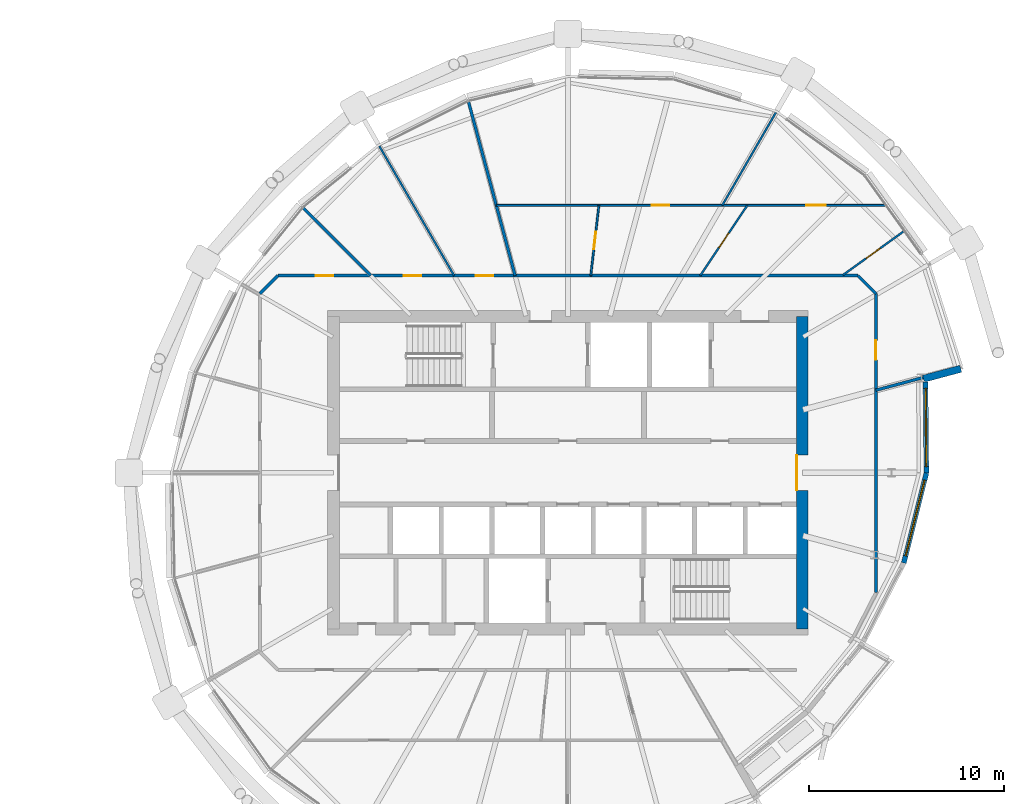
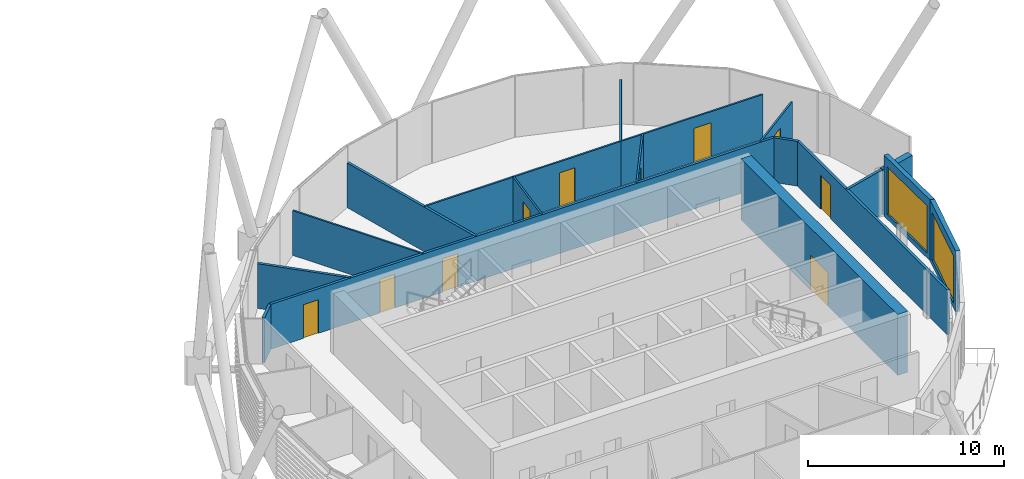
# One storey, part 27 of 36: 18 walls, 10 doors, 2 windows, 12 openings.
"""IFC4 building model written with IfcOpenShell, lengths in metres."""

import ifcopenshell
import ifcopenshell.guid

model = None  # the IFC model being written
_history = None  # IfcOwnerHistory: only IFC2X3 demands one
_inside = {}  # id of a spatial element -> (the spatial element, [elements in it])
_under = {}  # id of a project, library or spatial element -> (it, [spatial elements below it])
_declared = {}  # id of a project -> (the project, [libraries it declares])
_typed = {}  # id of a type object -> (the type object, [elements of that type])
_made_of = {}  # id of a material, layer set ... -> (it, [elements and type objects made of it])


def new_model(schema):
    """Start an empty IFC model of exactly this schema.

    Asked for "IFC4X3", IfcOpenShell would pick the latest addendum, in which some entities
    have other attributes; the version numbers below select the first issue.
    IFC2X3 requires an IfcOwnerHistory on every rooted entity: one is made here for all.
    """
    global model, _history
    if schema == "IFC4X3":
        model = ifcopenshell.file(schema_version=(4, 3, 0, 0))
    else:
        model = ifcopenshell.file(schema=schema)
    _inside.clear()
    _under.clear()
    _declared.clear()
    _typed.clear()
    _made_of.clear()
    _history = None
    if model.schema == "IFC2X3":
        org = make("IfcOrganization", Name="unknown")
        user = make(
            "IfcPersonAndOrganization",
            ThePerson=make("IfcPerson", FamilyName="unknown"),
            TheOrganization=org,
        )
        app = make(
            "IfcApplication",
            ApplicationDeveloper=org,
            Version="unknown",
            ApplicationFullName="unknown",
            ApplicationIdentifier="unknown",
        )
        _history = make(
            "IfcOwnerHistory",
            OwningUser=user,
            OwningApplication=app,
            ChangeAction="ADDED",
            CreationDate=0,
        )
    return model


def make(cls, **values):
    """One entity of the class cls with the attributes given. An attribute that is None is left unset."""
    return model.create_entity(
        cls, **{name: value for name, value in values.items() if value is not None}
    )


def rooted(cls, **values):
    """An entity with a GlobalId (a new one), such as an element, a storey or a relation."""
    return make(cls, GlobalId=ifcopenshell.guid.new(), OwnerHistory=_history, **values)


def si_unit(unit_type, name, prefix=None):
    """IfcSIUnit, for example si_unit("LENGTHUNIT", "METRE", prefix="MILLI")."""
    return make("IfcSIUnit", UnitType=unit_type, Prefix=prefix, Name=name)


def assignment(units):
    """IfcUnitAssignment: the units of a project."""
    return None if units is None else make("IfcUnitAssignment", Units=units)


def point(xyz):
    """IfcCartesianPoint."""
    return None if xyz is None else make("IfcCartesianPoint", Coordinates=xyz)


def direction(xyz):
    """IfcDirection."""
    return None if xyz is None else make("IfcDirection", DirectionRatios=xyz)


def frame(location, z_axis=None, x_axis=None):
    """IfcAxis2Placement3D, a coordinate frame: its origin and axes. An axis left out is left unset."""
    return make(
        "IfcAxis2Placement3D",
        Location=point(location),
        Axis=direction(z_axis),
        RefDirection=direction(x_axis),
    )


def frame_2d(location, x_axis=None):
    """IfcAxis2Placement2D, a coordinate frame in the plane: its origin and x axis."""
    return make(
        "IfcAxis2Placement2D", Location=point(location), RefDirection=direction(x_axis)
    )


def origin():
    """The frame at (0, 0, 0) with its axes left unset."""
    return frame((0.0, 0.0, 0.0))


def place(relative_to, where):
    """IfcLocalPlacement: puts the frame where relative to a parent placement (None: the world)."""
    return make(
        "IfcLocalPlacement", PlacementRelTo=relative_to, RelativePlacement=where
    )


def context(
    kind, dimensions, precision=None, world=None, true_north=None, identifier=None
):
    """IfcGeometricRepresentationContext, for example the 3D "Model" context."""
    return make(
        "IfcGeometricRepresentationContext",
        ContextIdentifier=identifier,
        ContextType=kind,
        CoordinateSpaceDimension=dimensions,
        Precision=precision,
        WorldCoordinateSystem=world,
        TrueNorth=true_north,
    )


def subcontext(parent, identifier, kind, view, scale=None):
    """IfcGeometricRepresentationSubContext, for example "Body" below "Model"."""
    return make(
        "IfcGeometricRepresentationSubContext",
        ContextIdentifier=identifier,
        ContextType=kind,
        ParentContext=parent,
        TargetScale=scale,
        TargetView=view,
    )


def project(units=None, contexts=None):
    """IfcProject with its units and contexts."""
    return rooted(
        "IfcProject",
        Name="project",
        RepresentationContexts=contexts,
        UnitsInContext=assignment(units),
    )


def spatial(cls, under=None, at=None, **own):
    """A site, building, storey or space (cls), placed at a placement, below another one or the project."""
    s = rooted(cls, ObjectPlacement=at, **own)
    if under is not None:
        _under.setdefault(under.id(), (under, []))[1].append(s)
    return s


def profile(cls, at=None, kind="AREA", **sizes):
    """A parametric profile (cls). Its sizes go by their IFC names, for example OverallWidth=200.0."""
    return make(cls, ProfileType=kind, Position=at, **sizes)


def rectangle(**sizes):
    """IfcRectangleProfileDef."""
    return profile("IfcRectangleProfileDef", **sizes)


def extrude(swept, where, along, depth):
    """IfcExtrudedAreaSolid: the profile swept, set in the frame where, extruded along a direction by depth."""
    return make(
        "IfcExtrudedAreaSolid",
        SweptArea=swept,
        Position=where,
        ExtrudedDirection=direction(along),
        Depth=depth,
    )


def shape(context_of_items, identifier, shape_type, items):
    """IfcShapeRepresentation: the items that make up one representation, for example the "Body"."""
    return make(
        "IfcShapeRepresentation",
        ContextOfItems=context_of_items,
        RepresentationIdentifier=identifier,
        RepresentationType=shape_type,
        Items=items,
    )


def material(Name=None, Category=None):
    """IfcMaterial."""
    return make("IfcMaterial", Name=Name, Category=Category)


def layer(
    of_material, thickness, ventilated=None, Name=None, Category=None, Priority=None
):
    """IfcMaterialLayer: one layer of a wall or slab, of a material (None: an air gap)."""
    return make(
        "IfcMaterialLayer",
        Material=of_material,
        LayerThickness=thickness,
        IsVentilated=ventilated,
        Name=Name,
        Category=Category,
        Priority=Priority,
    )


def layer_set(layers, Name=None):
    """IfcMaterialLayerSet."""
    return make("IfcMaterialLayerSet", MaterialLayers=layers, LayerSetName=Name)


def made_of(thing, what):
    """Note that an element or type object is made of a material, layer set ...; save() writes the relation."""
    if what is not None:
        _made_of.setdefault(what.id(), (what, []))[1].append(thing)
    return thing


def type_object(cls, material=None, **own):
    """A type object (cls), such as IfcWallType, which elements share."""
    return made_of(rooted(cls, **own), material)


def element(
    cls,
    number,
    at=None,
    inside=None,
    cuts=None,
    type_object=None,
    material=None,
    context=None,
    identifier="Body",
    shape_type=None,
    held_by="IfcProductDefinitionShape",
    body=None,
    shapes=None,
    **own,
):
    """One element of the class cls, such as IfcWall. Its Tag is "e" and its number.

    at: its placement. inside: the storey or other place that contains it. cuts: it is an
    opening in that element (IfcRelVoidsElement). A single representation is given by context,
    identifier, shape_type and body (its items); several are given by shapes. held_by: the class
    of the entity that holds the representations. save() writes the other relations.
    """
    e = rooted(cls, Tag="e%d" % number, ObjectPlacement=at, **own)
    if body is not None:
        shapes = [shape(context, identifier, shape_type, body)]
    if shapes is not None:
        e.Representation = make(held_by, Representations=shapes)
    if inside is not None:
        _inside.setdefault(inside.id(), (inside, []))[1].append(e)
    if cuts is not None:
        rooted(
            "IfcRelVoidsElement", RelatingBuildingElement=cuts, RelatedOpeningElement=e
        )
    if type_object is not None:
        _typed.setdefault(type_object.id(), (type_object, []))[1].append(e)
    return made_of(e, material)


def fill(opening, filler):
    """IfcRelFillsElement: the door or window that sits in an opening."""
    return rooted(
        "IfcRelFillsElement",
        RelatingOpeningElement=opening,
        RelatedBuildingElement=filler,
    )


def aggregate(whole, parts):
    """IfcRelAggregates: a whole, such as a stair, and the parts it consists of."""
    return rooted("IfcRelAggregates", RelatingObject=whole, RelatedObjects=parts)


def save(model, path):
    """Write the relations noted so far, then the file.

    IfcRelAggregates (storeys below a building ...), IfcRelContainedInSpatialStructure (elements
    in a storey), IfcRelDefinesByType, IfcRelAssociatesMaterial and IfcRelDeclares: one each for
    every whole, place, type object, material and project.
    """
    for whole, parts in _under.values():
        aggregate(whole, parts)
    for where, things in _inside.values():
        rooted(
            "IfcRelContainedInSpatialStructure",
            RelatedElements=things,
            RelatingStructure=where,
        )
    for kind, things in _typed.values():
        rooted("IfcRelDefinesByType", RelatedObjects=things, RelatingType=kind)
    for what, things in _made_of.values():
        rooted("IfcRelAssociatesMaterial", RelatedObjects=things, RelatingMaterial=what)
    for by, libraries in _declared.values():
        rooted("IfcRelDeclares", RelatingContext=by, RelatedDefinitions=libraries)
    model.write(path)


model = new_model("IFC4")

# Units and contexts
model_context = context("Model", 3, precision=1e-05, world=origin(), true_north=direction((0.0, 1.0)))
body_context = subcontext(model_context, "Body", "Model", "MODEL_VIEW")
ifc_project = project(units=[si_unit("LENGTHUNIT", "METRE"), si_unit("AREAUNIT", "SQUARE_METRE"), si_unit("VOLUMEUNIT", "CUBIC_METRE"), si_unit("PLANEANGLEUNIT", "RADIAN"), si_unit("MASSUNIT", "GRAM", prefix="KILO")], contexts=[model_context])

# Site, building, storey
site_placement = place(None, origin())
site = spatial("IfcSite", under=ifc_project, at=site_placement, CompositionType="ELEMENT")
building_placement = place(site_placement, origin())
building = spatial("IfcBuilding", under=site, at=building_placement, Name="Rimbun Link Towers", CompositionType="ELEMENT")
storey_placement = place(building_placement, frame((0.0, 0.0, 193.10009765625)))
storey = spatial("IfcBuildingStorey", under=building, at=storey_placement, Name="L47", CompositionType="ELEMENT", Elevation=193.10009765625)

# Wall, opening, window
ifc_material_1 = material(Name="Dark enamelled glass spandrel on insulated aluminium backpan", Category="aluminium")
ifc_layer_1 = layer(ifc_material_1, 0.25)
ifc_layer_set_1 = layer_set([ifc_layer_1], Name="CS dark enamelled spandrel wall 250")
wall_type_1 = type_object("IfcWallType", Name="CS dark enamelled spandrel wall 250", PredefinedType="STANDARD", material=ifc_layer_set_1)
wall_1_placement = place(storey_placement, frame((50.1103515625, -0.014892578125, 0.0), z_axis=(0.0, 0.0, 1.0), x_axis=(-0.243756771227, -0.96983639676, 0.0)))
wall_1 = element("IfcWall", 1, at=wall_1_placement, inside=storey, type_object=wall_type_1, Name="Crease spandrel wall", PredefinedType="STANDARD", context=body_context, shape_type="SweptSolid", body=[
    extrude(rectangle(XDim=4.75048828125, YDim=0.25, at=frame_2d((2.375244140625, 0.0))), origin(), (0.0, 0.0, 1.0), 3.7998046875),
])
opening_1_placement = place(wall_1_placement, frame((0.375244140625, 0.0, 0.300048828125)))
opening_1 = element("IfcOpeningElement", 2, at=opening_1_placement, cuts=wall_1, Name="Opening WR40H295", PredefinedType="OPENING", context=body_context, shape_type="SweptSolid", body=[
    extrude(rectangle(XDim=4.0, YDim=2.949951171875, at=frame_2d((2.0, 1.47509765625))), frame((0.0, 0.135009765625, 0.0), z_axis=(0.0, -1.0, 0.0), x_axis=(1.0, 0.0, 0.0)), (0.0, 0.0, 1.0), 0.27001953125),
])
ifc_material_2 = material(Name="Aluminium framed fixed window, dark tinted low-e glass", Category="aluminium")
window_type = type_object("IfcWindowType", Name="WR ribbon window 4000X2950", PartitioningType="SINGLE_PANEL", PredefinedType="WINDOW", material=ifc_material_2)
window_1_placement = place(opening_1_placement, origin())
window_1 = element("IfcWindow", 3, at=window_1_placement, inside=storey, type_object=window_type, Name="Crease ribbon window", OverallHeight=2.949951171875, OverallWidth=4.0, PartitioningType="SINGLE_PANEL", PredefinedType="WINDOW", context=body_context, shape_type="SweptSolid", body=[
    extrude(rectangle(XDim=4.0, YDim=2.949951171875, at=frame_2d((2.0, 1.47509765625))), frame((0.0, 0.030029296875, 0.0), z_axis=(0.0, -1.0, 0.0), x_axis=(1.0, 0.0, 0.0)), (0.0, 0.0, 1.0), 0.06005859375),
])
fill(opening_1, window_1)

wall_2_placement = place(storey_placement, frame((50.066650390625, 4.649169921875, 0.0), z_axis=(0.0, 0.0, 1.0), x_axis=(0.009369354224, -0.999956106637, 0.0)))
wall_2 = element("IfcWall", 4, at=wall_2_placement, inside=storey, type_object=wall_type_1, Name="Crease spandrel wall", PredefinedType="STANDARD", context=body_context, shape_type="SweptSolid", body=[
    extrude(rectangle(XDim=4.664306640625, YDim=0.25, at=frame_2d((2.33203125, 0.0))), origin(), (0.0, 0.0, 1.0), 3.7998046875),
])
opening_2_placement = place(wall_2_placement, frame((0.33203125, 0.0, 0.300048828125)))
opening_2 = element("IfcOpeningElement", 5, at=opening_2_placement, cuts=wall_2, Name="Opening WR40H295", PredefinedType="OPENING", context=body_context, shape_type="SweptSolid", body=[
    extrude(rectangle(XDim=4.0, YDim=2.949951171875, at=frame_2d((2.0, 1.47509765625))), frame((0.0, 0.135009765625, 0.0), z_axis=(0.0, -1.0, 0.0), x_axis=(1.0, 0.0, 0.0)), (0.0, 0.0, 1.0), 0.27001953125),
])
window_2_placement = place(opening_2_placement, origin())
window_2 = element("IfcWindow", 6, at=window_2_placement, inside=storey, type_object=window_type, Name="Crease ribbon window", OverallHeight=2.949951171875, OverallWidth=4.0, PartitioningType="SINGLE_PANEL", PredefinedType="WINDOW", context=body_context, shape_type="SweptSolid", body=[
    extrude(rectangle(XDim=4.0, YDim=2.949951171875, at=frame_2d((2.0, 1.47509765625))), frame((0.0, 0.030029296875, 0.0), z_axis=(0.0, -1.0, 0.0), x_axis=(1.0, 0.0, 0.0)), (0.0, 0.0, 1.0), 0.06005859375),
])
fill(opening_2, window_2)

# Wall
ifc_material_3 = material(Name="Dark enamelled glass spandrel on insulated aluminium backpan", Category="aluminium")
ifc_layer_2 = layer(ifc_material_3, 0.3701171875)
ifc_layer_set_2 = layer_set([ifc_layer_2], Name="CS dark enamelled spandrel wall 370")
wall_type_2 = type_object("IfcWallType", Name="CS dark enamelled spandrel wall 370", PredefinedType="STANDARD", material=ifc_layer_set_2)
wall_3_placement = place(storey_placement, frame((51.868896484375, 5.323486328125, 0.0), z_axis=(0.0, 0.0, 1.0), x_axis=(-0.965921079275, -0.258836760551, 0.0)))
element("IfcWall", 7, at=wall_3_placement, inside=storey, type_object=wall_type_2, Name="Crease spandrel wall", PredefinedType="STANDARD", context=body_context, shape_type="SweptSolid", body=[
    extrude(rectangle(XDim=1.979736328125, YDim=0.3701171875, at=frame_2d((0.98974609375, 0.0))), origin(), (0.0, 0.0, 1.0), 2.799072265625),
])

# Wall, opening, door
ifc_material_4 = material(Name="Concrete C60/75", Category="concrete")
ifc_layer_3 = layer(ifc_material_4, 0.60009765625)
ifc_layer_set_3 = layer_set([ifc_layer_3], Name="Core shear wall 600")
wall_type_3 = type_object("IfcWallType", Name="Core shear wall 600", PredefinedType="SHEAR", material=ifc_layer_set_3)
wall_4_placement = place(storey_placement, frame((43.75, -8.0, 0.0), z_axis=(0.0, 0.0, 1.0), x_axis=(0.0, 1.0, 0.0)))
wall_4 = element("IfcWall", 8, at=wall_4_placement, inside=storey, type_object=wall_type_3, Name="L47 T2 core wall E", PredefinedType="SHEAR", context=body_context, shape_type="SweptSolid", body=[
    extrude(rectangle(XDim=16.0, YDim=0.60009765625, at=frame_2d((8.0, 0.0))), origin(), (0.0, 0.0, 1.0), 3.7998046875),
])
opening_3_placement = place(wall_4_placement, frame((7.10009765625, 0.0, 0.0)))
opening_3 = element("IfcOpeningElement", 9, at=opening_3_placement, cuts=wall_4, Name="Opening C2DCL01E", PredefinedType="OPENING", context=body_context, shape_type="SweptSolid", body=[
    extrude(rectangle(XDim=1.800048828125, YDim=2.10009765625, at=frame_2d((0.89990234375, 1.050048828125))), frame((0.0, 0.31005859375, 0.0), z_axis=(0.0, -1.0, 0.0), x_axis=(1.0, 0.0, 0.0)), (0.0, 0.0, 1.0), 0.6201171875),
])
ifc_material_5 = material(Name="Steel fire door set", Category="steel")
door_type_1 = type_object("IfcDoorType", Name="Core lobby door double", OperationType="DOUBLE_DOOR_SINGLE_SWING", PredefinedType="DOOR", material=ifc_material_5)
door_1_placement = place(opening_3_placement, origin())
door_1 = element("IfcDoor", 10, at=door_1_placement, inside=storey, type_object=door_type_1, Name="L47 T2 lift lobby door", OperationType="DOUBLE_DOOR_SINGLE_SWING", OverallHeight=2.10009765625, OverallWidth=1.800048828125, PredefinedType="DOOR", context=body_context, shape_type="SweptSolid", body=[
    extrude(rectangle(XDim=1.800048828125, YDim=2.10009765625, at=frame_2d((0.89990234375, 1.050048828125))), frame((0.0, 0.2998046875, 0.0), z_axis=(0.0, -1.0, 0.0), x_axis=(1.0, 0.0, 0.0)), (0.0, 0.0, 1.0), 0.050048828125),
])
fill(opening_3, door_1)

ifc_material_6 = material(Name="Plasterboard on steel stud, mineral wool", Category="steel")
ifc_layer_4 = layer(ifc_material_6, 0.14990234375)
ifc_layer_set_4 = layer_set([ifc_layer_4], Name="Corridor wall EI 30 150 mm")
wall_type_4 = type_object("IfcWallType", Name="Corridor wall EI 30 150 mm", PredefinedType="PARTITIONING", material=ifc_layer_set_4)
wall_5_placement = place(storey_placement, frame((47.52490234375, 9.173583984375, 0.0), z_axis=(0.0, 0.0, 1.0), x_axis=(0.0, -1.0, 0.0)))
wall_5 = element("IfcWall", 11, at=wall_5_placement, inside=storey, type_object=wall_type_4, Name="Corridor wall EI 30 150 mm", PredefinedType="PARTITIONING", context=body_context, shape_type="SweptSolid", body=[
    extrude(rectangle(XDim=15.31982421875, YDim=0.14990234375, at=frame_2d((7.659912109375, 0.0))), origin(), (0.0, 0.0, 1.0), 2.788818359375),
])
opening_4_placement = place(wall_5_placement, frame((2.395263671875, 0.0, 0.0)))
opening_4 = element("IfcOpeningElement", 12, at=opening_4_placement, cuts=wall_5, Name="Opening D01", PredefinedType="OPENING", context=body_context, shape_type="SweptSolid", body=[
    extrude(rectangle(XDim=1.0, YDim=2.10009765625, at=frame_2d((0.5, 1.050048828125))), frame((0.0, 0.0849609375, 0.0), z_axis=(0.0, -1.0, 0.0), x_axis=(1.0, 0.0, 0.0)), (0.0, 0.0, 1.0), 0.169921875),
])
ifc_material_7 = material(Name="Fire-resisting timber door leaf", Category="wood")
door_type_2 = type_object("IfcDoorType", Name="Fire door FD30S 1000", OperationType="NOTDEFINED", PredefinedType="DOOR", material=ifc_material_7)
door_2_placement = place(opening_4_placement, origin())
door_2 = element("IfcDoor", 13, at=door_2_placement, inside=storey, type_object=door_type_2, Name="Fire door FD30S 1000 to Tenant lobby", OperationType="SINGLE_SWING_LEFT", OverallHeight=2.10009765625, OverallWidth=1.0, PredefinedType="DOOR", context=body_context, shape_type="SweptSolid", body=[
    extrude(rectangle(XDim=1.0, YDim=2.10009765625, at=frame_2d((0.5, 1.050048828125))), frame((0.0, 0.02490234375, 0.0), z_axis=(0.0, -1.0, 0.0), x_axis=(1.0, 0.0, 0.0)), (0.0, 0.0, 1.0), 0.050048828125),
])
fill(opening_4, door_2)

# Wall
wall_6_placement = place(storey_placement, frame((16.896240234375, 10.094970703125, 0.0), z_axis=(0.0, 0.0, 1.0), x_axis=(-0.707013081223, -0.707200468735, 0.0)))
element("IfcWall", 14, at=wall_6_placement, inside=storey, type_object=wall_type_4, Name="Corridor wall EI 30 150 mm", PredefinedType="PARTITIONING", context=body_context, shape_type="SweptSolid", body=[
    extrude(rectangle(XDim=1.302978515625, YDim=0.14990234375, at=frame_2d((0.6513671875, 0.0))), origin(), (0.0, 0.0, 1.0), 2.788818359375),
])

# Wall, openings, doors
wall_7_placement = place(storey_placement, frame((16.896240234375, 10.094970703125, 0.0), z_axis=(0.0, 0.0, 1.0), x_axis=(1.0, 0.0, 0.0)))
wall_7 = element("IfcWall", 15, at=wall_7_placement, inside=storey, type_object=wall_type_4, Name="Corridor wall EI 30 150 mm", PredefinedType="PARTITIONING", context=body_context, shape_type="SweptSolid", body=[
    extrude(rectangle(XDim=29.70751953125, YDim=0.14990234375, at=frame_2d((14.853759765625, 0.0))), origin(), (0.0, 0.0, 1.0), 2.788818359375),
])
opening_5_placement = place(wall_7_placement, frame((10.136962890625, 0.0, 0.0)))
opening_5 = element("IfcOpeningElement", 16, at=opening_5_placement, cuts=wall_7, Name="Opening D02", PredefinedType="OPENING", context=body_context, shape_type="SweptSolid", body=[
    extrude(rectangle(XDim=0.89990234375, YDim=2.10009765625, at=frame_2d((0.449951171875, 1.050048828125))), frame((0.0, 0.0849609375, 0.0), z_axis=(0.0, -1.0, 0.0), x_axis=(1.0, 0.0, 0.0)), (0.0, 0.0, 1.0), 0.169921875),
])
opening_6_placement = place(wall_7_placement, frame((6.44189453125, 0.0, 0.0)))
opening_6 = element("IfcOpeningElement", 17, at=opening_6_placement, cuts=wall_7, Name="Opening D02", PredefinedType="OPENING", context=body_context, shape_type="SweptSolid", body=[
    extrude(rectangle(XDim=0.89990234375, YDim=2.10009765625, at=frame_2d((0.449951171875, 1.050048828125))), frame((0.0, 0.0849609375, 0.0), z_axis=(0.0, -1.0, 0.0), x_axis=(1.0, 0.0, 0.0)), (0.0, 0.0, 1.0), 0.169921875),
])
opening_7_placement = place(wall_7_placement, frame((1.92919921875, 0.0, 0.0)))
opening_7 = element("IfcOpeningElement", 18, at=opening_7_placement, cuts=wall_7, Name="Opening D02", PredefinedType="OPENING", context=body_context, shape_type="SweptSolid", body=[
    extrude(rectangle(XDim=0.89990234375, YDim=2.10009765625, at=frame_2d((0.449951171875, 1.050048828125))), frame((0.0, 0.0849609375, 0.0), z_axis=(0.0, -1.0, 0.0), x_axis=(1.0, 0.0, 0.0)), (0.0, 0.0, 1.0), 0.169921875),
])
ifc_material_8 = material(Name="Fire-resisting timber door leaf", Category="wood")
door_type_3 = type_object("IfcDoorType", Name="Fire door FD30S 900", OperationType="NOTDEFINED", PredefinedType="DOOR", material=ifc_material_8)
door_3_placement = place(opening_5_placement, origin())
door_3 = element("IfcDoor", 19, at=door_3_placement, inside=storey, type_object=door_type_3, Name="Fire door FD30S 900 to Training room", OperationType="SINGLE_SWING_RIGHT", OverallHeight=2.10009765625, OverallWidth=0.89990234375, PredefinedType="DOOR", context=body_context, shape_type="SweptSolid", body=[
    extrude(rectangle(XDim=0.89990234375, YDim=2.10009765625, at=frame_2d((0.449951171875, 1.050048828125))), frame((0.0, 0.02490234375, 0.0), z_axis=(0.0, -1.0, 0.0), x_axis=(1.0, 0.0, 0.0)), (0.0, 0.0, 1.0), 0.050048828125),
])
fill(opening_5, door_3)
door_4_placement = place(opening_6_placement, origin())
door_4 = element("IfcDoor", 20, at=door_4_placement, inside=storey, type_object=door_type_3, Name="Fire door FD30S 900 to Meeting room", OperationType="SINGLE_SWING_LEFT", OverallHeight=2.10009765625, OverallWidth=0.89990234375, PredefinedType="DOOR", context=body_context, shape_type="SweptSolid", body=[
    extrude(rectangle(XDim=0.89990234375, YDim=2.10009765625, at=frame_2d((0.449951171875, 1.050048828125))), frame((0.0, 0.02490234375, 0.0), z_axis=(0.0, -1.0, 0.0), x_axis=(1.0, 0.0, 0.0)), (0.0, 0.0, 1.0), 0.050048828125),
])
fill(opening_6, door_4)
door_5_placement = place(opening_7_placement, origin())
door_5 = element("IfcDoor", 21, at=door_5_placement, inside=storey, type_object=door_type_3, Name="Fire door FD30S 900 to Data room", OperationType="SINGLE_SWING_RIGHT", OverallHeight=2.10009765625, OverallWidth=0.89990234375, PredefinedType="DOOR", context=body_context, shape_type="SweptSolid", body=[
    extrude(rectangle(XDim=0.89990234375, YDim=2.10009765625, at=frame_2d((0.449951171875, 1.050048828125))), frame((0.0, 0.02490234375, 0.0), z_axis=(0.0, -1.0, 0.0), x_axis=(1.0, 0.0, 0.0)), (0.0, 0.0, 1.0), 0.050048828125),
])
fill(opening_7, door_5)

# Wall
wall_8_placement = place(storey_placement, frame((47.52490234375, 9.173583984375, 0.0), z_axis=(0.0, 0.0, 1.0), x_axis=(-0.707013081223, 0.707200468735, 0.0)))
element("IfcWall", 22, at=wall_8_placement, inside=storey, type_object=wall_type_4, Name="Corridor wall EI 30 150 mm", PredefinedType="PARTITIONING", context=body_context, shape_type="SweptSolid", body=[
    extrude(rectangle(XDim=1.302978515625, YDim=0.14990234375, at=frame_2d((0.6513671875, 0.0))), origin(), (0.0, 0.0, 1.0), 2.788818359375),
])

# Wall, opening, door
ifc_material_9 = material(Name="Plasterboard on steel stud", Category="steel")
ifc_layer_5 = layer(ifc_material_9, 0.10009765625)
ifc_layer_set_5 = layer_set([ifc_layer_5], Name="Plasterboard partition 100 mm")
wall_type_5 = type_object("IfcWallType", Name="Plasterboard partition 100 mm", PredefinedType="PARTITIONING", material=ifc_layer_set_5)
wall_9_placement = place(storey_placement, frame((45.835693359375, 10.125, 0.0), z_axis=(0.0, 0.0, 1.0), x_axis=(0.812012555173, 0.583639966282, 0.0)))
wall_9 = element("IfcWall", 23, at=wall_9_placement, inside=storey, type_object=wall_type_5, Name="Plasterboard partition 100 mm", PredefinedType="PARTITIONING", context=body_context, shape_type="SweptSolid", body=[
    extrude(rectangle(XDim=3.851806640625, YDim=0.10009765625, at=frame_2d((1.92578125, 0.0))), origin(), (0.0, 0.0, 1.0), 2.788818359375),
])
opening_8_placement = place(wall_9_placement, frame((1.4501953125, 0.0, 0.0)))
opening_8 = element("IfcOpeningElement", 24, at=opening_8_placement, cuts=wall_9, Name="Opening D04", PredefinedType="OPENING", context=body_context, shape_type="SweptSolid", body=[
    extrude(rectangle(XDim=0.89990234375, YDim=2.10009765625, at=frame_2d((0.449951171875, 1.050048828125))), frame((0.0, 0.06005859375, 0.0), z_axis=(0.0, -1.0, 0.0), x_axis=(1.0, 0.0, 0.0)), (0.0, 0.0, 1.0), 0.1201171875),
])
ifc_material_10 = material(Name="Timber door leaf", Category="wood")
door_type_4 = type_object("IfcDoorType", Name="Flush door 900", OperationType="NOTDEFINED", PredefinedType="DOOR", material=ifc_material_10)
door_6_placement = place(opening_8_placement, origin())
door_6 = element("IfcDoor", 25, at=door_6_placement, inside=storey, type_object=door_type_4, Name="Flush door 900 to Huddle room", OperationType="SINGLE_SWING_RIGHT", OverallHeight=2.10009765625, OverallWidth=0.89990234375, PredefinedType="DOOR", context=body_context, shape_type="SweptSolid", body=[
    extrude(rectangle(XDim=0.89990234375, YDim=2.10009765625, at=frame_2d((0.449951171875, 1.050048828125))), frame((0.0, 0.02490234375, 0.0), z_axis=(0.0, -1.0, 0.0), x_axis=(1.0, 0.0, 0.0)), (0.0, 0.0, 1.0), 0.050048828125),
])
fill(opening_8, door_6)

wall_10_placement = place(storey_placement, frame((38.525146484375, 10.094970703125, 0.0), z_axis=(0.0, 0.0, 1.0), x_axis=(0.557244545646, 0.830348430689, 0.0)))
wall_10 = element("IfcWall", 26, at=wall_10_placement, inside=storey, type_object=wall_type_5, Name="Plasterboard partition 100 mm", PredefinedType="PARTITIONING", context=body_context, shape_type="SweptSolid", body=[
    extrude(rectangle(XDim=4.335693359375, YDim=0.10009765625, at=frame_2d((2.16796875, 0.0))), origin(), (0.0, 0.0, 1.0), 2.788818359375),
])
opening_9_placement = place(wall_10_placement, frame((1.7177734375, 0.0, 0.0)))
opening_9 = element("IfcOpeningElement", 27, at=opening_9_placement, cuts=wall_10, Name="Opening D04", PredefinedType="OPENING", context=body_context, shape_type="SweptSolid", body=[
    extrude(rectangle(XDim=0.89990234375, YDim=2.10009765625, at=frame_2d((0.449951171875, 1.050048828125))), frame((0.0, 0.06005859375, 0.0), z_axis=(0.0, -1.0, 0.0), x_axis=(1.0, 0.0, 0.0)), (0.0, 0.0, 1.0), 0.1201171875),
])
door_7_placement = place(opening_9_placement, origin())
door_7 = element("IfcDoor", 28, at=door_7_placement, inside=storey, type_object=door_type_4, Name="Flush door 900 to Huddle room", OperationType="SINGLE_SWING_RIGHT", OverallHeight=2.10009765625, OverallWidth=0.89990234375, PredefinedType="DOOR", context=body_context, shape_type="SweptSolid", body=[
    extrude(rectangle(XDim=0.89990234375, YDim=2.10009765625, at=frame_2d((0.449951171875, 1.050048828125))), frame((0.0, 0.02490234375, 0.0), z_axis=(0.0, -1.0, 0.0), x_axis=(1.0, 0.0, 0.0)), (0.0, 0.0, 1.0), 0.050048828125),
])
fill(opening_9, door_7)

wall_11_placement = place(storey_placement, frame((39.65673828125, 13.695068359375, 0.0), z_axis=(0.0, 0.0, 1.0), x_axis=(1.0, 0.0, 0.0)))
wall_11 = element("IfcWall", 29, at=wall_11_placement, inside=storey, type_object=wall_type_5, Name="Plasterboard partition 100 mm", PredefinedType="PARTITIONING", context=body_context, shape_type="SweptSolid", body=[
    extrude(rectangle(XDim=8.35791015625, YDim=0.10009765625, at=frame_2d((4.178955078125, 0.0))), origin(), (0.0, 0.0, 1.0), 2.788818359375),
])
opening_10_placement = place(wall_11_placement, frame((4.302978515625, 0.0, 0.0)))
opening_10 = element("IfcOpeningElement", 30, at=opening_10_placement, cuts=wall_11, Name="Opening D03", PredefinedType="OPENING", context=body_context, shape_type="SweptSolid", body=[
    extrude(rectangle(XDim=1.0, YDim=2.10009765625, at=frame_2d((0.5, 1.050048828125))), frame((0.0, 0.06005859375, 0.0), z_axis=(0.0, -1.0, 0.0), x_axis=(1.0, 0.0, 0.0)), (0.0, 0.0, 1.0), 0.1201171875),
])
ifc_material_11 = material(Name="Timber door leaf", Category="wood")
door_type_5 = type_object("IfcDoorType", Name="Flush door 1000", OperationType="NOTDEFINED", PredefinedType="DOOR", material=ifc_material_11)
door_8_placement = place(opening_10_placement, origin())
door_8 = element("IfcDoor", 31, at=door_8_placement, inside=storey, type_object=door_type_5, Name="Flush door 1000 to Open office", OperationType="SINGLE_SWING_RIGHT", OverallHeight=2.10009765625, OverallWidth=1.0, PredefinedType="DOOR", context=body_context, shape_type="SweptSolid", body=[
    extrude(rectangle(XDim=1.0, YDim=2.10009765625, at=frame_2d((0.5, 1.050048828125))), frame((0.0, 0.02490234375, 0.0), z_axis=(0.0, -1.0, 0.0), x_axis=(1.0, 0.0, 0.0)), (0.0, 0.0, 1.0), 0.050048828125),
])
fill(opening_10, door_8)

wall_12_placement = place(storey_placement, frame((32.919921875, 10.094970703125, 0.0), z_axis=(0.0, 0.0, 1.0), x_axis=(0.11512524295, 0.993350984514, 0.0)))
wall_12 = element("IfcWall", 32, at=wall_12_placement, inside=storey, type_object=wall_type_5, Name="Plasterboard partition 100 mm", PredefinedType="PARTITIONING", context=body_context, shape_type="SweptSolid", body=[
    extrude(rectangle(XDim=3.624267578125, YDim=0.10009765625, at=frame_2d((1.81201171875, 0.0))), origin(), (0.0, 0.0, 1.0), 2.788818359375),
])
opening_11_placement = place(wall_12_placement, frame((1.362060546875, 0.0, 0.0)))
opening_11 = element("IfcOpeningElement", 33, at=opening_11_placement, cuts=wall_12, Name="Opening D04", PredefinedType="OPENING", context=body_context, shape_type="SweptSolid", body=[
    extrude(rectangle(XDim=0.89990234375, YDim=2.10009765625, at=frame_2d((0.449951171875, 1.050048828125))), frame((0.0, 0.06005859375, 0.0), z_axis=(0.0, -1.0, 0.0), x_axis=(1.0, 0.0, 0.0)), (0.0, 0.0, 1.0), 0.1201171875),
])
door_9_placement = place(opening_11_placement, origin())
door_9 = element("IfcDoor", 34, at=door_9_placement, inside=storey, type_object=door_type_4, Name="Flush door 900 to Pantry", OperationType="SINGLE_SWING_LEFT", OverallHeight=2.10009765625, OverallWidth=0.89990234375, PredefinedType="DOOR", context=body_context, shape_type="SweptSolid", body=[
    extrude(rectangle(XDim=0.89990234375, YDim=2.10009765625, at=frame_2d((0.449951171875, 1.050048828125))), frame((0.0, 0.02490234375, 0.0), z_axis=(0.0, -1.0, 0.0), x_axis=(1.0, 0.0, 0.0)), (0.0, 0.0, 1.0), 0.050048828125),
])
fill(opening_11, door_9)

wall_13_placement = place(storey_placement, frame((28.08056640625, 13.695068359375, 0.0), z_axis=(0.0, 0.0, 1.0), x_axis=(1.0, 0.0, 0.0)))
wall_13 = element("IfcWall", 35, at=wall_13_placement, inside=storey, type_object=wall_type_5, Name="Plasterboard partition 100 mm", PredefinedType="PARTITIONING", context=body_context, shape_type="SweptSolid", body=[
    extrude(rectangle(XDim=11.576171875, YDim=0.10009765625, at=frame_2d((5.7880859375, 0.0))), origin(), (0.0, 0.0, 1.0), 2.788818359375),
])
opening_12_placement = place(wall_13_placement, frame((7.951416015625, 0.0, 0.0)))
opening_12 = element("IfcOpeningElement", 36, at=opening_12_placement, cuts=wall_13, Name="Opening D04", PredefinedType="OPENING", context=body_context, shape_type="SweptSolid", body=[
    extrude(rectangle(XDim=0.89990234375, YDim=2.10009765625, at=frame_2d((0.449951171875, 1.050048828125))), frame((0.0, 0.06005859375, 0.0), z_axis=(0.0, -1.0, 0.0), x_axis=(1.0, 0.0, 0.0)), (0.0, 0.0, 1.0), 0.1201171875),
])
door_10_placement = place(opening_12_placement, origin())
door_10 = element("IfcDoor", 37, at=door_10_placement, inside=storey, type_object=door_type_4, Name="Flush door 900 to Project room", OperationType="SINGLE_SWING_LEFT", OverallHeight=2.10009765625, OverallWidth=0.89990234375, PredefinedType="DOOR", context=body_context, shape_type="SweptSolid", body=[
    extrude(rectangle(XDim=0.89990234375, YDim=2.10009765625, at=frame_2d((0.449951171875, 1.050048828125))), frame((0.0, 0.02490234375, 0.0), z_axis=(0.0, -1.0, 0.0), x_axis=(1.0, 0.0, 0.0)), (0.0, 0.0, 1.0), 0.050048828125),
])
fill(opening_12, door_10)

# Walls
wall_14_placement = place(storey_placement, frame((42.4013671875, 18.44873046875, 0.0), z_axis=(0.0, 0.0, 1.0), x_axis=(-0.500013773731, -0.866017451371, 0.0)))
element("IfcWall", 38, at=wall_14_placement, inside=storey, type_object=wall_type_5, Name="Plasterboard partition 100 mm", PredefinedType="PARTITIONING", context=body_context, shape_type="SweptSolid", body=[
    extrude(rectangle(XDim=5.489013671875, YDim=0.10009765625, at=frame_2d((2.74462890625, 0.0))), origin(), (0.0, 0.0, 1.0), 2.788818359375),
])
wall_15_placement = place(storey_placement, frame((22.09326171875, 16.725830078125, 0.0), z_axis=(0.0, 0.0, 1.0), x_axis=(0.500003986271, -0.866023102297, 0.0)))
element("IfcWall", 39, at=wall_15_placement, inside=storey, type_object=wall_type_5, Name="Plasterboard partition 100 mm", PredefinedType="PARTITIONING", context=body_context, shape_type="SweptSolid", body=[
    extrude(rectangle(XDim=7.65673828125, YDim=0.10009765625, at=frame_2d((3.828369140625, 0.0))), origin(), (0.0, 0.0, 1.0), 2.788818359375),
])
ifc_material_12 = material(Name="Plasterboard on steel stud, mineral wool", Category="steel")
ifc_layer_6 = layer(ifc_material_12, 0.14990234375)
ifc_layer_set_6 = layer_set([ifc_layer_6], Name="Tenancy separation wall EI 60 150 mm")
wall_type_6 = type_object("IfcWallType", Name="Tenancy separation wall EI 60 150 mm", PredefinedType="PARTITIONING", material=ifc_layer_set_6)
wall_16_placement = place(storey_placement, frame((29.045166015625, 10.094970703125, 0.0), z_axis=(0.0, 0.0, 1.0), x_axis=(-0.258833857625, 0.965921857164, 0.0)))
element("IfcWall", 40, at=wall_16_placement, inside=storey, type_object=wall_type_6, Name="Tenancy separation wall EI 60 150 mm", PredefinedType="PARTITIONING", context=body_context, shape_type="SweptSolid", body=[
    extrude(rectangle(XDim=9.236083984375, YDim=0.14990234375, at=frame_2d((4.6181640625, 0.0))), origin(), (0.0, 0.0, 1.0), 2.788818359375),
])
wall_17_placement = place(storey_placement, frame((21.655029296875, 10.094970703125, 0.0), z_axis=(0.0, 0.0, 1.0), x_axis=(-0.707106781187, 0.707106781187, 0.0)))
element("IfcWall", 41, at=wall_17_placement, inside=storey, type_object=wall_type_6, Name="Tenancy separation wall EI 60 150 mm", PredefinedType="PARTITIONING", context=body_context, shape_type="SweptSolid", body=[
    extrude(rectangle(XDim=4.9052734375, YDim=0.14990234375, at=frame_2d((2.45263671875, 0.0))), origin(), (0.0, 0.0, 1.0), 2.788818359375),
])
wall_18_placement = place(storey_placement, frame((47.52490234375, 4.226806640625, 0.0), z_axis=(0.0, 0.0, 1.0), x_axis=(0.965932795341, 0.258793034845, 0.0)))
element("IfcWall", 42, at=wall_18_placement, inside=storey, type_object=wall_type_6, Name="Tenancy separation wall EI 60 150 mm", PredefinedType="PARTITIONING", context=body_context, shape_type="SweptSolid", body=[
    extrude(rectangle(XDim=2.5, YDim=0.14990234375, at=frame_2d((1.25, 0.0))), origin(), (0.0, 0.0, 1.0), 2.788818359375),
])

save(model, "model.ifc")
